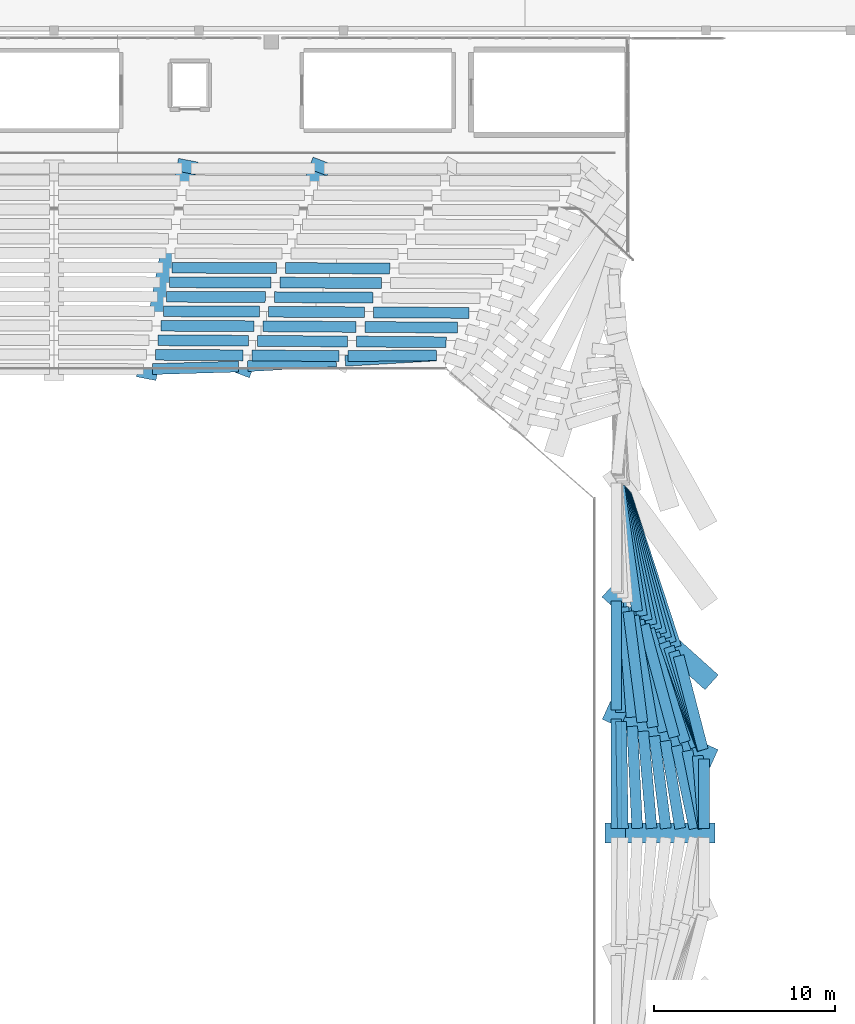
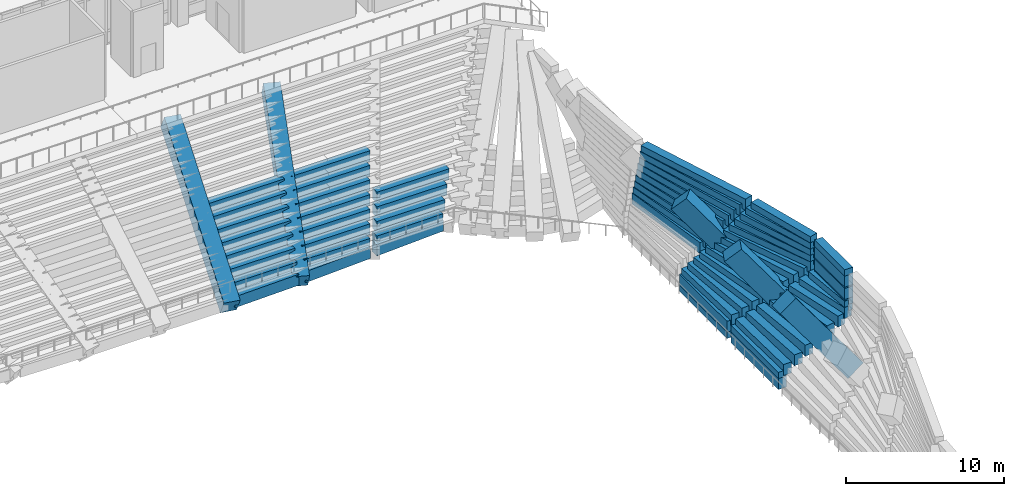
# One storey, part 25 of 55: 65 beams.
"""IFC4 building model written with IfcOpenShell, lengths in metres."""

from ifc_helpers import new_model, si_unit, derived_unit, direction, frame, origin, origin_2d, place, context, subcontext, project, spatial, rectangle, extrude, material, material_profile, profile_set, type_object, element, save


model = new_model("IFC4")

# Units and contexts
model_context = context("Model", 3, precision=1e-05, world=origin(), true_north=direction((0.0, 1.0)))
body_context = subcontext(model_context, "Body", "Model", "MODEL_VIEW")
ifc_project = project(units=[si_unit("LENGTHUNIT", "METRE"), si_unit("AREAUNIT", "SQUARE_METRE"), si_unit("VOLUMEUNIT", "CUBIC_METRE"), si_unit("PLANEANGLEUNIT", "RADIAN"), si_unit("MASSUNIT", "GRAM", prefix="KILO"), derived_unit("THERMALTRANSMITTANCEUNIT", [(si_unit("MASSUNIT", "GRAM", prefix="KILO"), 1), (si_unit("TIMEUNIT", "SECOND"), -3), (si_unit("THERMODYNAMICTEMPERATUREUNIT", "KELVIN"), -1)])], contexts=[model_context])

# Site, building, storey
site_placement = place(None, origin())
site = spatial("IfcSite", under=ifc_project, at=site_placement, CompositionType="ELEMENT")
building_placement = place(site_placement, origin())
building = spatial("IfcBuilding", under=site, at=building_placement, Name="Valcora Ridge Arena", CompositionType="ELEMENT")
storey_placement = place(building_placement, frame((0.0, 0.0, 21.0)))
storey = spatial("IfcBuildingStorey", under=building, at=storey_placement, Name="L04", CompositionType="ELEMENT", Elevation=21.0)

# Beams
ifc_material_1 = material(Name="Concrete C40/50", Category="concrete")
ifc_material_profile_1 = material_profile(ifc_material_1, rectangle(XDim=0.60009765625, YDim=0.85009765625, at=origin_2d()), Name="RC 600x850")
ifc_profile_set_1 = profile_set([ifc_material_profile_1], Name="Concrete C40/50")
beam_type_1 = type_object("IfcBeamType", Name="TY-BEAM-B-RC600-X", PredefinedType="BEAM", material=ifc_profile_set_1)
beam_1_placement = place(storey_placement, frame((89.049560546875, 64.35009765625, -8.22509765625), z_axis=(0.0, 1.0, 0.0), x_axis=(-1.0, 0.0, 0.0)))
element("IfcBeam", 1, at=beam_1_placement, inside=storey, type_object=beam_type_1, Name="B-RC600-X BEM-RU3-B-RC600-X-0023", PredefinedType="BEAM", context=body_context, shape_type="SweptSolid", body=[
    extrude(rectangle(XDim=0.60009765625, YDim=0.85009765625, at=origin_2d()), origin(), (0.0, 0.0, 1.0), 6.027587890625),
])
beam_2_placement = place(storey_placement, frame((89.049560546875, 70.877685546875, -8.22509765625), z_axis=(0.0, 1.0, 0.0), x_axis=(-1.0, 0.0, 0.0)))
element("IfcBeam", 2, at=beam_2_placement, inside=storey, type_object=beam_type_1, Name="B-RC600-X BEM-RU3-B-RC600-X-0024", PredefinedType="BEAM", context=body_context, shape_type="SweptSolid", body=[
    extrude(rectangle(XDim=0.60009765625, YDim=0.85009765625, at=origin_2d()), origin(), (0.0, 0.0, 1.0), 6.02783203125),
])
beam_3_placement = place(storey_placement, frame((79.113525390625, 90.467041015625, -8.22509765625), z_axis=(-0.998276711719, -0.058682253186, 0.0), x_axis=(0.058682253186, -0.998276711719, 0.0)))
element("IfcBeam", 3, at=beam_3_placement, inside=storey, type_object=beam_type_1, Name="B-RC600-X BEM-RU3-B-RC600-X-0031", PredefinedType="BEAM", context=body_context, shape_type="SweptSolid", body=[
    extrude(rectangle(XDim=0.60009765625, YDim=0.85009765625, at=origin_2d()), origin(), (0.0, 0.0, 1.0), 5.038330078125),
])
beam_4_placement = place(storey_placement, frame((73.584716796875, 90.142822265625, -8.22509765625), z_axis=(-0.998486603928, -0.054995470502, 0.0), x_axis=(0.054995470502, -0.998486603928, 0.0)))
element("IfcBeam", 4, at=beam_4_placement, inside=storey, type_object=beam_type_1, Name="B-RC600-X BEM-RU3-B-RC600-X-0032", PredefinedType="BEAM", context=body_context, shape_type="SweptSolid", body=[
    extrude(rectangle(XDim=0.60009765625, YDim=0.85009765625, at=origin_2d()), origin(), (0.0, 0.0, 1.0), 4.90087890625),
])
beam_5_placement = place(storey_placement, frame((68.191650390625, 89.852294921875, -8.22509765625), z_axis=(-0.999569750047, -0.029331123248, 0.0), x_axis=(0.029331123248, -0.999569750047, 0.0)))
element("IfcBeam", 5, at=beam_5_placement, inside=storey, type_object=beam_type_1, Name="B-RC600-X BEM-RU3-B-RC600-X-0033", PredefinedType="BEAM", context=body_context, shape_type="SweptSolid", body=[
    extrude(rectangle(XDim=0.60009765625, YDim=0.85009765625, at=origin_2d()), origin(), (0.0, 0.0, 1.0), 4.752685546875),
])
beam_6_placement = place(storey_placement, frame((89.049560546875, 64.35009765625, -7.7451171875), z_axis=(0.0, 1.0, 0.0), x_axis=(-1.0, 0.0, 0.0)))
element("IfcBeam", 6, at=beam_6_placement, inside=storey, type_object=beam_type_1, Name="B-RC600-X BEM-RU3-B-RC600-X-0072", PredefinedType="BEAM", context=body_context, shape_type="SweptSolid", body=[
    extrude(rectangle(XDim=0.60009765625, YDim=0.85009765625, at=origin_2d()), origin(), (0.0, 0.0, 1.0), 6.027587890625),
])
beam_7_placement = place(storey_placement, frame((89.049560546875, 70.877685546875, -7.7451171875), z_axis=(0.0, 1.0, 0.0), x_axis=(-1.0, 0.0, 0.0)))
element("IfcBeam", 7, at=beam_7_placement, inside=storey, type_object=beam_type_1, Name="B-RC600-X BEM-RU3-B-RC600-X-0073", PredefinedType="BEAM", context=body_context, shape_type="SweptSolid", body=[
    extrude(rectangle(XDim=0.60009765625, YDim=0.85009765625, at=origin_2d()), origin(), (0.0, 0.0, 1.0), 6.02783203125),
])
beam_8_placement = place(storey_placement, frame((79.113037109375, 90.479248046875, -7.7451171875), z_axis=(-0.999948270549, -0.010171343334, 0.0), x_axis=(0.010171343334, -0.999948270549, 0.0)))
element("IfcBeam", 8, at=beam_8_placement, inside=storey, type_object=beam_type_1, Name="B-RC600-X BEM-RU3-B-RC600-X-0081", PredefinedType="BEAM", context=body_context, shape_type="SweptSolid", body=[
    extrude(rectangle(XDim=0.60009765625, YDim=0.85009765625, at=origin_2d()), origin(), (0.0, 0.0, 1.0), 4.87255859375),
])
beam_9_placement = place(storey_placement, frame((73.74072265625, 90.42919921875, -7.7451171875), z_axis=(-0.999964118208, 0.008471263011, 0.0), x_axis=(-0.008471263011, -0.999964118208, 0.0)))
element("IfcBeam", 9, at=beam_9_placement, inside=storey, type_object=beam_type_1, Name="B-RC600-X BEM-RU3-B-RC600-X-0082", PredefinedType="BEAM", context=body_context, shape_type="SweptSolid", body=[
    extrude(rectangle(XDim=0.60009765625, YDim=0.85009765625, at=origin_2d()), origin(), (0.0, 0.0, 1.0), 4.81298828125),
])
beam_10_placement = place(storey_placement, frame((68.427978515625, 90.4736328125, -7.7451171875), z_axis=(-0.999978762062, 0.006517317249, 0.0), x_axis=(-0.006517317249, -0.999978762062, 0.0)))
element("IfcBeam", 10, at=beam_10_placement, inside=storey, type_object=beam_type_1, Name="B-RC600-X BEM-RU3-B-RC600-X-0083", PredefinedType="BEAM", context=body_context, shape_type="SweptSolid", body=[
    extrude(rectangle(XDim=0.60009765625, YDim=0.85009765625, at=origin_2d()), origin(), (0.0, 0.0, 1.0), 4.832275390625),
])
beam_11_placement = place(storey_placement, frame((89.416015625, 64.35009765625, -7.264892578125), z_axis=(-0.016197560702, 0.999868810908, 0.0), x_axis=(-0.999868810908, -0.016197560702, 0.0)))
element("IfcBeam", 11, at=beam_11_placement, inside=storey, type_object=beam_type_1, Name="B-RC600-X BEM-RU3-B-RC600-X-0123", PredefinedType="BEAM", context=body_context, shape_type="SweptSolid", body=[
    extrude(rectangle(XDim=0.60009765625, YDim=0.85009765625, at=origin_2d()), origin(), (0.0, 0.0, 1.0), 5.908447265625),
])
beam_12_placement = place(storey_placement, frame((89.3095703125, 70.7578125, -7.264892578125), z_axis=(-0.026245284998, 0.999655533179, 0.0), x_axis=(-0.999655533179, -0.026245284998, 0.0)))
element("IfcBeam", 12, at=beam_12_placement, inside=storey, type_object=beam_type_1, Name="B-RC600-X BEM-RU3-B-RC600-X-0124", PredefinedType="BEAM", context=body_context, shape_type="SweptSolid", body=[
    extrude(rectangle(XDim=0.60009765625, YDim=0.85009765625, at=origin_2d()), origin(), (0.0, 0.0, 1.0), 6.065185546875),
])
beam_13_placement = place(storey_placement, frame((79.66162109375, 91.194580078125, -7.264892578125), z_axis=(-0.999970825227, 0.007638631803, 0.0), x_axis=(-0.007638631803, -0.999970825227, 0.0)))
element("IfcBeam", 13, at=beam_13_placement, inside=storey, type_object=beam_type_1, Name="B-RC600-X BEM-RU3-B-RC600-X-0132", PredefinedType="BEAM", context=body_context, shape_type="SweptSolid", body=[
    extrude(rectangle(XDim=0.60009765625, YDim=0.85009765625, at=origin_2d()), origin(), (0.0, 0.0, 1.0), 4.9541015625),
])
beam_14_placement = place(storey_placement, frame((74.207763671875, 91.236328125, -7.264892578125), z_axis=(-0.999971386878, 0.007564748911, 0.0), x_axis=(-0.007564748911, -0.999971386878, 0.0)))
element("IfcBeam", 14, at=beam_14_placement, inside=storey, type_object=beam_type_1, Name="B-RC600-X BEM-RU3-B-RC600-X-0133", PredefinedType="BEAM", context=body_context, shape_type="SweptSolid", body=[
    extrude(rectangle(XDim=0.60009765625, YDim=0.85009765625, at=origin_2d()), origin(), (0.0, 0.0, 1.0), 4.97021484375),
])
beam_15_placement = place(storey_placement, frame((68.73779296875, 91.27734375, -7.264892578125), z_axis=(-0.999983036473, 0.00582466869, 0.0), x_axis=(-0.00582466869, -0.999983036473, 0.0)))
element("IfcBeam", 15, at=beam_15_placement, inside=storey, type_object=beam_type_1, Name="B-RC600-X BEM-RU3-B-RC600-X-0134", PredefinedType="BEAM", context=body_context, shape_type="SweptSolid", body=[
    extrude(rectangle(XDim=0.60009765625, YDim=0.85009765625, at=origin_2d()), origin(), (0.0, 0.0, 1.0), 4.98779296875),
])
beam_16_placement = place(storey_placement, frame((90.207763671875, 64.349609375, -6.784912109375), z_axis=(-0.049135106202, 0.998792141208, 0.0), x_axis=(-0.998792141208, -0.049135106202, 0.0)))
element("IfcBeam", 16, at=beam_16_placement, inside=storey, type_object=beam_type_1, Name="B-RC600-X BEM-RU3-B-RC600-X-0173", PredefinedType="BEAM", context=body_context, shape_type="SweptSolid", body=[
    extrude(rectangle(XDim=0.60009765625, YDim=0.85009765625, at=origin_2d()), origin(), (0.0, 0.0, 1.0), 5.64453125),
])
beam_17_placement = place(storey_placement, frame((89.899169921875, 70.486083984375, -6.784912109375), z_axis=(-0.075766988181, 0.997125550521, 0.0), x_axis=(-0.997125550521, -0.075766988181, 0.0)))
element("IfcBeam", 17, at=beam_17_placement, inside=storey, type_object=beam_type_1, Name="B-RC600-X BEM-RU3-B-RC600-X-0174", PredefinedType="BEAM", context=body_context, shape_type="SweptSolid", body=[
    extrude(rectangle(XDim=0.60009765625, YDim=0.85009765625, at=origin_2d()), origin(), (0.0, 0.0, 1.0), 6.106201171875),
])
beam_18_placement = place(storey_placement, frame((80.286865234375, 92.0048828125, -6.784912109375), z_axis=(-0.999976680727, 0.006829202223, 0.0), x_axis=(-0.006829202223, -0.999976680727, 0.0)))
element("IfcBeam", 18, at=beam_18_placement, inside=storey, type_object=beam_type_1, Name="B-RC600-X BEM-RU3-B-RC600-X-0182", PredefinedType="BEAM", context=body_context, shape_type="SweptSolid", body=[
    extrude(rectangle(XDim=0.60009765625, YDim=0.85009765625, at=origin_2d()), origin(), (0.0, 0.0, 1.0), 5.112060546875),
])
beam_19_placement = place(storey_placement, frame((74.6748046875, 92.043212890625, -6.784912109375), z_axis=(-0.999977139106, 0.006761750179, 0.0), x_axis=(-0.006761750179, -0.999977139106, 0.0)))
element("IfcBeam", 19, at=beam_19_placement, inside=storey, type_object=beam_type_1, Name="B-RC600-X BEM-RU3-B-RC600-X-0183", PredefinedType="BEAM", context=body_context, shape_type="SweptSolid", body=[
    extrude(rectangle(XDim=0.60009765625, YDim=0.85009765625, at=origin_2d()), origin(), (0.0, 0.0, 1.0), 5.126953125),
])
beam_20_placement = place(storey_placement, frame((69.0478515625, 92.080810546875, -6.784912109375), z_axis=(-0.999986615292, 0.005173899514, 0.0), x_axis=(-0.005173899514, -0.999986615292, 0.0)))
element("IfcBeam", 20, at=beam_20_placement, inside=storey, type_object=beam_type_1, Name="B-RC600-X BEM-RU3-B-RC600-X-0184", PredefinedType="BEAM", context=body_context, shape_type="SweptSolid", body=[
    extrude(rectangle(XDim=0.60009765625, YDim=0.85009765625, at=origin_2d()), origin(), (0.0, 0.0, 1.0), 5.143310546875),
])
beam_21_placement = place(storey_placement, frame((90.998779296875, 64.34912109375, -6.304931640625), z_axis=(-0.084928108385, 0.996387081613, 0.0), x_axis=(-0.996387081613, -0.084928108385, 0.0)))
element("IfcBeam", 21, at=beam_21_placement, inside=storey, type_object=beam_type_1, Name="B-RC600-X BEM-RU3-B-RC600-X-0217", PredefinedType="BEAM", context=body_context, shape_type="SweptSolid", body=[
    extrude(rectangle(XDim=0.60009765625, YDim=0.85009765625, at=origin_2d()), origin(), (0.0, 0.0, 1.0), 5.38720703125),
])
beam_22_placement = place(storey_placement, frame((90.489013671875, 70.214111328125, -6.304931640625), z_axis=(-0.124341873521, 0.992239436068, 0.0), x_axis=(-0.992239436068, -0.124341873521, 0.0)))
element("IfcBeam", 22, at=beam_22_placement, inside=storey, type_object=beam_type_1, Name="B-RC600-X BEM-RU3-B-RC600-X-0218", PredefinedType="BEAM", context=body_context, shape_type="SweptSolid", body=[
    extrude(rectangle(XDim=0.60009765625, YDim=0.85009765625, at=origin_2d()), origin(), (0.0, 0.0, 1.0), 6.163330078125),
])
beam_23_placement = place(storey_placement, frame((80.912109375, 92.8154296875, -6.304931640625), z_axis=(-0.99998186739, 0.006022033759, 0.0), x_axis=(-0.006022033759, -0.99998186739, 0.0)))
element("IfcBeam", 23, at=beam_23_placement, inside=storey, type_object=beam_type_1, Name="B-RC600-X BEM-RU3-B-RC600-X-0225", PredefinedType="BEAM", context=body_context, shape_type="SweptSolid", body=[
    extrude(rectangle(XDim=0.60009765625, YDim=0.85009765625, at=origin_2d()), origin(), (0.0, 0.0, 1.0), 5.270263671875),
])
beam_24_placement = place(storey_placement, frame((75.141845703125, 92.85009765625, -6.304931640625), z_axis=(-0.999982237547, 0.005960250827, 0.0), x_axis=(-0.005960250827, -0.999982237547, 0.0)))
element("IfcBeam", 24, at=beam_24_placement, inside=storey, type_object=beam_type_1, Name="B-RC600-X BEM-RU3-B-RC600-X-0226", PredefinedType="BEAM", context=body_context, shape_type="SweptSolid", body=[
    extrude(rectangle(XDim=0.60009765625, YDim=0.85009765625, at=origin_2d()), origin(), (0.0, 0.0, 1.0), 5.283935546875),
])
beam_25_placement = place(storey_placement, frame((69.35791015625, 92.88427734375, -6.304931640625), z_axis=(-0.999989385891, 0.004607396728, 0.0), x_axis=(-0.004607396728, -0.999989385891, 0.0)))
element("IfcBeam", 25, at=beam_25_placement, inside=storey, type_object=beam_type_1, Name="B-RC600-X BEM-RU3-B-RC600-X-0227", PredefinedType="BEAM", context=body_context, shape_type="SweptSolid", body=[
    extrude(rectangle(XDim=0.60009765625, YDim=0.85009765625, at=origin_2d()), origin(), (0.0, 0.0, 1.0), 5.298828125),
])
beam_26_placement = place(storey_placement, frame((91.7890625, 64.34814453125, -5.824951171875), z_axis=(-0.123771580846, 0.992310735493, 0.0), x_axis=(-0.992310735493, -0.123771580846, 0.0)))
element("IfcBeam", 26, at=beam_26_placement, inside=storey, type_object=beam_type_1, Name="B-RC600-X BEM-RU3-B-RC600-X-0256", PredefinedType="BEAM", context=body_context, shape_type="SweptSolid", body=[
    extrude(rectangle(XDim=0.60009765625, YDim=0.85009765625, at=origin_2d()), origin(), (0.0, 0.0, 1.0), 5.138427734375),
])
beam_27_placement = place(storey_placement, frame((91.0791015625, 69.94140625, -5.824951171875), z_axis=(-0.171714565857, 0.985146744334, 0.0), x_axis=(-0.985146744334, -0.171714565857, 0.0)))
element("IfcBeam", 27, at=beam_27_placement, inside=storey, type_object=beam_type_1, Name="B-RC600-X BEM-RU3-B-RC600-X-0257", PredefinedType="BEAM", context=body_context, shape_type="SweptSolid", body=[
    extrude(rectangle(XDim=0.60009765625, YDim=0.85009765625, at=origin_2d()), origin(), (0.0, 0.0, 1.0), 6.23583984375),
])
beam_28_placement = place(storey_placement, frame((75.60888671875, 93.656982421875, -5.824951171875), z_axis=(-0.999986220625, 0.005249624795, 0.0), x_axis=(-0.005249624795, -0.999986220625, 0.0)))
element("IfcBeam", 28, at=beam_28_placement, inside=storey, type_object=beam_type_1, Name="B-RC600-X BEM-RU3-B-RC600-X-0264", PredefinedType="BEAM", context=body_context, shape_type="SweptSolid", body=[
    extrude(rectangle(XDim=0.60009765625, YDim=0.85009765625, at=origin_2d()), origin(), (0.0, 0.0, 1.0), 5.441162109375),
])
beam_29_placement = place(storey_placement, frame((69.667724609375, 93.68798828125, -5.824951171875), z_axis=(-0.999992065133, 0.003983675475, 0.0), x_axis=(-0.003983675475, -0.999992065133, 0.0)))
element("IfcBeam", 29, at=beam_29_placement, inside=storey, type_object=beam_type_1, Name="B-RC600-X BEM-RU3-B-RC600-X-0265", PredefinedType="BEAM", context=body_context, shape_type="SweptSolid", body=[
    extrude(rectangle(XDim=0.60009765625, YDim=0.85009765625, at=origin_2d()), origin(), (0.0, 0.0, 1.0), 5.454345703125),
])
beam_30_placement = place(storey_placement, frame((92.57861328125, 64.346435546875, -5.344970703125), z_axis=(-0.165950401987, 0.986134100455, 0.0), x_axis=(-0.986134100455, -0.165950401987, 0.0)))
element("IfcBeam", 30, at=beam_30_placement, inside=storey, type_object=beam_type_1, Name="B-RC600-X BEM-RU3-B-RC600-X-0290", PredefinedType="BEAM", context=body_context, shape_type="SweptSolid", body=[
    extrude(rectangle(XDim=0.60009765625, YDim=0.85009765625, at=origin_2d()), origin(), (0.0, 0.0, 1.0), 4.89892578125),
])
beam_31_placement = place(storey_placement, frame((91.669921875, 69.668212890625, -5.344970703125), z_axis=(-0.217621221264, 0.97603330069, 0.0), x_axis=(-0.97603330069, -0.217621221264, 0.0)))
element("IfcBeam", 31, at=beam_31_placement, inside=storey, type_object=beam_type_1, Name="B-RC600-X BEM-RU3-B-RC600-X-0291", PredefinedType="BEAM", context=body_context, shape_type="SweptSolid", body=[
    extrude(rectangle(XDim=0.60009765625, YDim=0.85009765625, at=origin_2d()), origin(), (0.0, 0.0, 1.0), 6.323974609375),
])
beam_32_placement = place(storey_placement, frame((90.2041015625, 76.33203125, -5.344970703125), z_axis=(-0.140751444775, 0.990044964026, 0.0), x_axis=(-0.990044964026, -0.140751444775, 0.0)))
element("IfcBeam", 32, at=beam_32_placement, inside=storey, type_object=beam_type_1, Name="B-RC600-X BEM-RU3-B-RC600-X-0292", PredefinedType="BEAM", context=body_context, shape_type="SweptSolid", body=[
    extrude(rectangle(XDim=0.60009765625, YDim=0.85009765625, at=origin_2d()), origin(), (0.0, 0.0, 1.0), 6.990234375),
])
beam_33_placement = place(storey_placement, frame((76.07568359375, 94.464111328125, -5.344970703125), z_axis=(-0.999989713687, 0.004535694109, 0.0), x_axis=(-0.004535694109, -0.999989713687, 0.0)))
element("IfcBeam", 33, at=beam_33_placement, inside=storey, type_object=beam_type_1, Name="B-RC600-X BEM-RU3-B-RC600-X-0296", PredefinedType="BEAM", context=body_context, shape_type="SweptSolid", body=[
    extrude(rectangle(XDim=0.60009765625, YDim=0.85009765625, at=origin_2d()), origin(), (0.0, 0.0, 1.0), 5.597900390625),
])
beam_34_placement = place(storey_placement, frame((69.977783203125, 94.491455078125, -5.344970703125), z_axis=(-0.999993939317, 0.003481569986, 0.0), x_axis=(-0.003481569986, -0.999993939317, 0.0)))
element("IfcBeam", 34, at=beam_34_placement, inside=storey, type_object=beam_type_1, Name="B-RC600-X BEM-RU3-B-RC600-X-0297", PredefinedType="BEAM", context=body_context, shape_type="SweptSolid", body=[
    extrude(rectangle(XDim=0.60009765625, YDim=0.85009765625, at=origin_2d()), origin(), (0.0, 0.0, 1.0), 5.60986328125),
])
beam_35_placement = place(storey_placement, frame((93.3671875, 64.34423828125, -4.864990234375), z_axis=(-0.211552790219, 0.977366572454, 0.0), x_axis=(-0.977366572454, -0.211552790219, 0.0)))
element("IfcBeam", 35, at=beam_35_placement, inside=storey, type_object=beam_type_1, Name="B-RC600-X BEM-RU3-B-RC600-X-0321", PredefinedType="BEAM", context=body_context, shape_type="SweptSolid", body=[
    extrude(rectangle(XDim=0.60009765625, YDim=0.85009765625, at=origin_2d()), origin(), (0.0, 0.0, 1.0), 4.67041015625),
])
beam_36_placement = place(storey_placement, frame((92.2607421875, 69.39453125, -4.864990234375), z_axis=(-0.261760561409, 0.965132844996, 0.0), x_axis=(-0.965132844996, -0.261760561409, 0.0)))
element("IfcBeam", 36, at=beam_36_placement, inside=storey, type_object=beam_type_1, Name="B-RC600-X BEM-RU3-B-RC600-X-0322", PredefinedType="BEAM", context=body_context, shape_type="SweptSolid", body=[
    extrude(rectangle(XDim=0.60009765625, YDim=0.85009765625, at=origin_2d()), origin(), (0.0, 0.0, 1.0), 6.42626953125),
])
beam_37_placement = place(storey_placement, frame((90.471435546875, 76.084716796875, -4.864990234375), z_axis=(-0.166856785406, 0.985981142398, 0.0), x_axis=(-0.985981142398, -0.166856785406, 0.0)))
element("IfcBeam", 37, at=beam_37_placement, inside=storey, type_object=beam_type_1, Name="B-RC600-X BEM-RU3-B-RC600-X-0323", PredefinedType="BEAM", context=body_context, shape_type="SweptSolid", body=[
    extrude(rectangle(XDim=0.60009765625, YDim=0.85009765625, at=origin_2d()), origin(), (0.0, 0.0, 1.0), 7.21484375),
])
beam_38_placement = place(storey_placement, frame((76.542724609375, 95.27099609375, -4.864990234375), z_axis=(-0.999992548305, 0.003860483705, 0.0), x_axis=(-0.003860483705, -0.999992548305, 0.0)))
element("IfcBeam", 38, at=beam_38_placement, inside=storey, type_object=beam_type_1, Name="B-RC600-X BEM-RU3-B-RC600-X-0327", PredefinedType="BEAM", context=body_context, shape_type="SweptSolid", body=[
    extrude(rectangle(XDim=0.60009765625, YDim=0.85009765625, at=origin_2d()), origin(), (0.0, 0.0, 1.0), 5.7548828125),
])
beam_39_placement = place(storey_placement, frame((70.287841796875, 95.294921875, -4.864990234375), z_axis=(-0.999995480318, 0.003006550036, 0.0), x_axis=(-0.003006550036, -0.999995480318, 0.0)))
element("IfcBeam", 39, at=beam_39_placement, inside=storey, type_object=beam_type_1, Name="B-RC600-X BEM-RU3-B-RC600-X-0328", PredefinedType="BEAM", context=body_context, shape_type="SweptSolid", body=[
    extrude(rectangle(XDim=0.60009765625, YDim=0.85009765625, at=origin_2d()), origin(), (0.0, 0.0, 1.0), 5.765380859375),
])
beam_40_placement = place(storey_placement, frame((93.8505859375, 64.344970703125, -4.385009765625), z_axis=(-0.199212986591, 0.979956216355, 0.0), x_axis=(-0.979956216355, -0.199212986591, 0.0)))
element("IfcBeam", 40, at=beam_40_placement, inside=storey, type_object=beam_type_1, Name="B-RC600-X BEM-RU3-B-RC600-X-0351", PredefinedType="BEAM", context=body_context, shape_type="SweptSolid", body=[
    extrude(rectangle(XDim=0.60009765625, YDim=0.85009765625, at=origin_2d()), origin(), (0.0, 0.0, 1.0), 4.380126953125),
])
beam_41_placement = place(storey_placement, frame((92.852294921875, 69.12060546875, -4.385009765625), z_axis=(-0.304044497083, 0.952657831435, 0.0), x_axis=(-0.952657831435, -0.304044497083, 0.0)))
element("IfcBeam", 41, at=beam_41_placement, inside=storey, type_object=beam_type_1, Name="B-RC600-X BEM-RU3-B-RC600-X-0352", PredefinedType="BEAM", context=body_context, shape_type="SweptSolid", body=[
    extrude(rectangle(XDim=0.60009765625, YDim=0.85009765625, at=origin_2d()), origin(), (0.0, 0.0, 1.0), 6.542724609375),
])
beam_42_placement = place(storey_placement, frame((90.7392578125, 75.8369140625, -4.385009765625), z_axis=(-0.191346242185, 0.981522600658, 0.0), x_axis=(-0.981522600658, -0.191346242185, 0.0)))
element("IfcBeam", 42, at=beam_42_placement, inside=storey, type_object=beam_type_1, Name="B-RC600-X BEM-RU3-B-RC600-X-0353", PredefinedType="BEAM", context=body_context, shape_type="SweptSolid", body=[
    extrude(rectangle(XDim=0.60009765625, YDim=0.85009765625, at=origin_2d()), origin(), (0.0, 0.0, 1.0), 7.44482421875),
])
beam_43_placement = place(storey_placement, frame((93.8798828125, 64.34912109375, -3.905029296875), z_axis=(-0.081730757527, 0.996654445269, 0.0), x_axis=(-0.996654445269, -0.081730757527, 0.0)))
element("IfcBeam", 43, at=beam_43_placement, inside=storey, type_object=beam_type_1, Name="B-RC600-X BEM-RU3-B-RC600-X-0381", PredefinedType="BEAM", context=body_context, shape_type="SweptSolid", body=[
    extrude(rectangle(XDim=0.60009765625, YDim=0.85009765625, at=origin_2d()), origin(), (0.0, 0.0, 1.0), 4.026611328125),
])
beam_44_placement = place(storey_placement, frame((93.444091796875, 68.84619140625, -3.905029296875), z_axis=(-0.344256799515, 0.93887552742, 0.0), x_axis=(-0.93887552742, -0.344256799515, 0.0)))
element("IfcBeam", 44, at=beam_44_placement, inside=storey, type_object=beam_type_1, Name="B-RC600-X BEM-RU3-B-RC600-X-0382", PredefinedType="BEAM", context=body_context, shape_type="SweptSolid", body=[
    extrude(rectangle(XDim=0.60009765625, YDim=0.85009765625, at=origin_2d()), origin(), (0.0, 0.0, 1.0), 6.671875),
])
beam_45_placement = place(storey_placement, frame((91.00732421875, 75.58935546875, -3.905029296875), z_axis=(-0.214337757333, 0.976759604909, 0.0), x_axis=(-0.976759604909, -0.214337757333, 0.0)))
element("IfcBeam", 45, at=beam_45_placement, inside=storey, type_object=beam_type_1, Name="B-RC600-X BEM-RU3-B-RC600-X-0383", PredefinedType="BEAM", context=body_context, shape_type="SweptSolid", body=[
    extrude(rectangle(XDim=0.60009765625, YDim=0.85009765625, at=origin_2d()), origin(), (0.0, 0.0, 1.0), 7.679443359375),
])
beam_46_placement = place(storey_placement, frame((93.900390625, 64.35009765625, -3.425048828125), z_axis=(0.0, 1.0, 0.0), x_axis=(-1.0, 0.0, 0.0)))
element("IfcBeam", 46, at=beam_46_placement, inside=storey, type_object=beam_type_1, Name="B-RC600-X BEM-RU3-B-RC600-X-0412", PredefinedType="BEAM", context=body_context, shape_type="SweptSolid", body=[
    extrude(rectangle(XDim=0.60009765625, YDim=0.85009765625, at=origin_2d()), origin(), (0.0, 0.0, 1.0), 3.8447265625),
])
beam_47_placement = place(storey_placement, frame((93.810546875, 68.677978515625, -3.425048828125), z_axis=(-0.359770884492, 0.933040680073, 0.0), x_axis=(-0.933040680073, -0.359770884492, 0.0)))
element("IfcBeam", 47, at=beam_47_placement, inside=storey, type_object=beam_type_1, Name="B-RC600-X BEM-RU3-B-RC600-X-0413", PredefinedType="BEAM", context=body_context, shape_type="SweptSolid", body=[
    extrude(rectangle(XDim=0.60009765625, YDim=0.85009765625, at=origin_2d()), origin(), (0.0, 0.0, 1.0), 6.63134765625),
])
beam_48_placement = place(storey_placement, frame((91.27587890625, 75.341552734375, -3.425048828125), z_axis=(-0.235921214613, 0.971772185492, 0.0), x_axis=(-0.971772185492, -0.235921214613, 0.0)))
element("IfcBeam", 48, at=beam_48_placement, inside=storey, type_object=beam_type_1, Name="B-RC600-X BEM-RU3-B-RC600-X-0414", PredefinedType="BEAM", context=body_context, shape_type="SweptSolid", body=[
    extrude(rectangle(XDim=0.60009765625, YDim=0.85009765625, at=origin_2d()), origin(), (0.0, 0.0, 1.0), 7.918701171875),
])
beam_49_placement = place(storey_placement, frame((93.900390625, 64.35009765625, -2.945068359375), z_axis=(0.0, 1.0, 0.0), x_axis=(-1.0, 0.0, 0.0)))
element("IfcBeam", 49, at=beam_49_placement, inside=storey, type_object=beam_type_1, Name="B-RC600-X BEM-RU3-B-RC600-X-0444", PredefinedType="BEAM", context=body_context, shape_type="SweptSolid", body=[
    extrude(rectangle(XDim=0.60009765625, YDim=0.85009765625, at=origin_2d()), origin(), (0.0, 0.0, 1.0), 3.8447265625),
])
beam_50_placement = place(storey_placement, frame((93.81640625, 68.68017578125, -2.945068359375), z_axis=(-0.33677300089, 0.941585867498, 0.0), x_axis=(-0.941585867498, -0.33677300089, 0.0)))
element("IfcBeam", 50, at=beam_50_placement, inside=storey, type_object=beam_type_1, Name="B-RC600-X BEM-RU3-B-RC600-X-0445", PredefinedType="BEAM", context=body_context, shape_type="SweptSolid", body=[
    extrude(rectangle(XDim=0.60009765625, YDim=0.85009765625, at=origin_2d()), origin(), (0.0, 0.0, 1.0), 6.304931640625),
])
beam_51_placement = place(storey_placement, frame((91.544677734375, 75.09375, -2.945068359375), z_axis=(-0.256223086986, 0.966617675038, 0.0), x_axis=(-0.966617675038, -0.256223086986, 0.0)))
element("IfcBeam", 51, at=beam_51_placement, inside=storey, type_object=beam_type_1, Name="B-RC600-X BEM-RU3-B-RC600-X-0446", PredefinedType="BEAM", context=body_context, shape_type="SweptSolid", body=[
    extrude(rectangle(XDim=0.60009765625, YDim=0.85009765625, at=origin_2d()), origin(), (0.0, 0.0, 1.0), 8.1611328125),
])
beam_52_placement = place(storey_placement, frame((93.900390625, 64.35009765625, -2.465087890625), z_axis=(0.0, 1.0, 0.0), x_axis=(-1.0, 0.0, 0.0)))
element("IfcBeam", 52, at=beam_52_placement, inside=storey, type_object=beam_type_1, Name="B-RC600-X BEM-RU3-B-RC600-X-0476", PredefinedType="BEAM", context=body_context, shape_type="SweptSolid", body=[
    extrude(rectangle(XDim=0.60009765625, YDim=0.85009765625, at=origin_2d()), origin(), (0.0, 0.0, 1.0), 3.8447265625),
])
beam_53_placement = place(storey_placement, frame((93.82275390625, 68.682373046875, -2.465087890625), z_axis=(-0.311277631017, 0.95031901824, 0.0), x_axis=(-0.95031901824, -0.311277631017, 0.0)))
element("IfcBeam", 53, at=beam_53_placement, inside=storey, type_object=beam_type_1, Name="B-RC600-X BEM-RU3-B-RC600-X-0477", PredefinedType="BEAM", context=body_context, shape_type="SweptSolid", body=[
    extrude(rectangle(XDim=0.60009765625, YDim=0.85009765625, at=origin_2d()), origin(), (0.0, 0.0, 1.0), 5.982666015625),
])
beam_54_placement = place(storey_placement, frame((91.81396484375, 74.845947265625, -2.465087890625), z_axis=(-0.275307860475, 0.961356116099, 0.0), x_axis=(-0.961356116099, -0.275307860475, 0.0)))
element("IfcBeam", 54, at=beam_54_placement, inside=storey, type_object=beam_type_1, Name="B-RC600-X BEM-RU3-B-RC600-X-0478", PredefinedType="BEAM", context=body_context, shape_type="SweptSolid", body=[
    extrude(rectangle(XDim=0.60009765625, YDim=0.85009765625, at=origin_2d()), origin(), (0.0, 0.0, 1.0), 8.40771484375),
])
beam_55_placement = place(storey_placement, frame((93.900390625, 64.35009765625, -1.985107421875), z_axis=(0.0, 1.0, 0.0), x_axis=(-1.0, 0.0, 0.0)))
element("IfcBeam", 55, at=beam_55_placement, inside=storey, type_object=beam_type_1, Name="B-RC600-X BEM-RU3-B-RC600-X-0508", PredefinedType="BEAM", context=body_context, shape_type="SweptSolid", body=[
    extrude(rectangle(XDim=0.60009765625, YDim=0.85009765625, at=origin_2d()), origin(), (0.0, 0.0, 1.0), 3.8447265625),
])
beam_56_placement = place(storey_placement, frame((93.829833984375, 68.6845703125, -1.985107421875), z_axis=(-0.282826429225, 0.959171106181, 0.0), x_axis=(-0.959171106181, -0.282826429225, 0.0)))
element("IfcBeam", 56, at=beam_56_placement, inside=storey, type_object=beam_type_1, Name="B-RC600-X BEM-RU3-B-RC600-X-0509", PredefinedType="BEAM", context=body_context, shape_type="SweptSolid", body=[
    extrude(rectangle(XDim=0.60009765625, YDim=0.85009765625, at=origin_2d()), origin(), (0.0, 0.0, 1.0), 5.666259765625),
])
beam_57_placement = place(storey_placement, frame((92.083251953125, 74.59814453125, -1.985107421875), z_axis=(-0.293233605585, 0.956040821595, 0.0), x_axis=(-0.956040821595, -0.293233605585, 0.0)))
element("IfcBeam", 57, at=beam_57_placement, inside=storey, type_object=beam_type_1, Name="B-RC600-X BEM-RU3-B-RC600-X-0510", PredefinedType="BEAM", context=body_context, shape_type="SweptSolid", body=[
    extrude(rectangle(XDim=0.60009765625, YDim=0.85009765625, at=origin_2d()), origin(), (0.0, 0.0, 1.0), 8.6572265625),
])
beam_58_placement = place(storey_placement, frame((93.900390625, 64.35009765625, -1.5048828125), z_axis=(0.0, 1.0, 0.0), x_axis=(-1.0, 0.0, 0.0)))
element("IfcBeam", 58, at=beam_58_placement, inside=storey, type_object=beam_type_1, Name="B-RC600-X BEM-RU3-B-RC600-X-0540", PredefinedType="BEAM", context=body_context, shape_type="SweptSolid", body=[
    extrude(rectangle(XDim=0.60009765625, YDim=0.85009765625, at=origin_2d()), origin(), (0.0, 0.0, 1.0), 3.8447265625),
])
beam_59_placement = place(storey_placement, frame((93.837646484375, 68.686767578125, -1.5048828125), z_axis=(-0.251011204368, 0.967984181318, 0.0), x_axis=(-0.967984181318, -0.251011204368, 0.0)))
element("IfcBeam", 59, at=beam_59_placement, inside=storey, type_object=beam_type_1, Name="B-RC600-X BEM-RU3-B-RC600-X-0541", PredefinedType="BEAM", context=body_context, shape_type="SweptSolid", body=[
    extrude(rectangle(XDim=0.60009765625, YDim=0.85009765625, at=origin_2d()), origin(), (0.0, 0.0, 1.0), 5.355224609375),
])
beam_60_placement = place(storey_placement, frame((92.35302734375, 74.350341796875, -1.5048828125), z_axis=(-0.310154665024, 0.950686112113, 0.0), x_axis=(-0.950686112113, -0.310154665024, 0.0)))
element("IfcBeam", 60, at=beam_60_placement, inside=storey, type_object=beam_type_1, Name="B-RC600-X BEM-RU3-B-RC600-X-0542", PredefinedType="BEAM", context=body_context, shape_type="SweptSolid", body=[
    extrude(rectangle(XDim=0.60009765625, YDim=0.85009765625, at=origin_2d()), origin(), (0.0, 0.0, 1.0), 8.909912109375),
])
ifc_material_2 = material(Name="Concrete C45/55", Category="concrete")
ifc_material_profile_2 = material_profile(ifc_material_2, rectangle(XDim=1.10009765625, YDim=1.39990234375, at=origin_2d()), Name="RC 1100x1400")
ifc_profile_set_2 = profile_set([ifc_material_profile_2], Name="Concrete C45/55")
beam_type_2 = type_object("IfcBeamType", Name="TY-BEAM-RKR-UPP-1400", PredefinedType="USERDEFINED", material=ifc_profile_set_2)
beam_61_placement = place(storey_placement, frame((93.949951171875, 64.10009765625, -8.52001953125), z_axis=(-0.591930543551, 0.0, 0.805988977351), x_axis=(0.0, -1.0, 0.0)))
element("IfcBeam", 61, at=beam_61_placement, inside=storey, type_object=beam_type_2, Name="RKR-UPP-1400 BEM-RK-RKR-UPP-1400-0020", ObjectType="RAKER", PredefinedType="USERDEFINED", context=body_context, shape_type="SweptSolid", body=[
    extrude(rectangle(XDim=1.10009765625, YDim=1.39990234375, at=origin_2d()), origin(), (0.0, 0.0, 1.0), 8.3623046875),
])
beam_62_placement = place(storey_placement, frame((93.949951171875, 68.422607421875, -8.52001953125), z_axis=(-0.571989490921, 0.257374112241, 0.778836689315), x_axis=(-0.410336624169, -0.911934128578, 0.0)))
element("IfcBeam", 62, at=beam_62_placement, inside=storey, type_object=beam_type_2, Name="RKR-UPP-1400 BEM-RK-RKR-UPP-1400-0021", ObjectType="RAKER", PredefinedType="USERDEFINED", context=body_context, shape_type="SweptSolid", body=[
    extrude(rectangle(XDim=1.10009765625, YDim=1.39990234375, at=origin_2d()), origin(), (0.0, 0.0, 1.0), 8.65380859375),
])
beam_63_placement = place(storey_placement, frame((93.949951171875, 72.7451171875, -8.52001953125), z_axis=(-0.522424016186, 0.470168731114, 0.711346969906), x_axis=(-0.668954604192, -0.74330326081, 0.0)))
element("IfcBeam", 63, at=beam_63_placement, inside=storey, type_object=beam_type_2, Name="RKR-UPP-1400 BEM-RK-RKR-UPP-1400-0022", ObjectType="RAKER", PredefinedType="USERDEFINED", context=body_context, shape_type="SweptSolid", body=[
    extrude(rectangle(XDim=1.10009765625, YDim=1.39990234375, at=origin_2d()), origin(), (0.0, 0.0, 1.0), 9.474853515625),
])
beam_64_placement = place(storey_placement, frame((68.398681640625, 89.748046875, -8.52001953125), z_axis=(0.313458761983, 0.812701176631, 0.491182656492), x_axis=(-0.933006165086, 0.359860383915, 0.0)))
element("IfcBeam", 64, at=beam_64_placement, inside=storey, type_object=beam_type_2, Name="RKR-UPP-1400 BEM-RK-RKR-UPP-1400-0033", ObjectType="RAKER", PredefinedType="USERDEFINED", context=body_context, shape_type="SweptSolid", body=[
    extrude(rectangle(XDim=1.10009765625, YDim=1.39990234375, at=origin_2d()), origin(), (0.0, 0.0, 1.0), 13.721923828125),
])
beam_65_placement = place(storey_placement, frame((63.1572265625, 89.530517578125, -8.52001953125), z_axis=(0.163674872432, 0.848605559372, 0.503069717571), x_axis=(-0.981902980966, 0.189384624429, 0.0)))
element("IfcBeam", 65, at=beam_65_placement, inside=storey, type_object=beam_type_2, Name="RKR-UPP-1400 BEM-RK-RKR-UPP-1400-0034", ObjectType="RAKER", PredefinedType="USERDEFINED", context=body_context, shape_type="SweptSolid", body=[
    extrude(rectangle(XDim=1.10009765625, YDim=1.39990234375, at=origin_2d()), origin(), (0.0, 0.0, 1.0), 13.397705078125),
])

save(model, "model.ifc")
